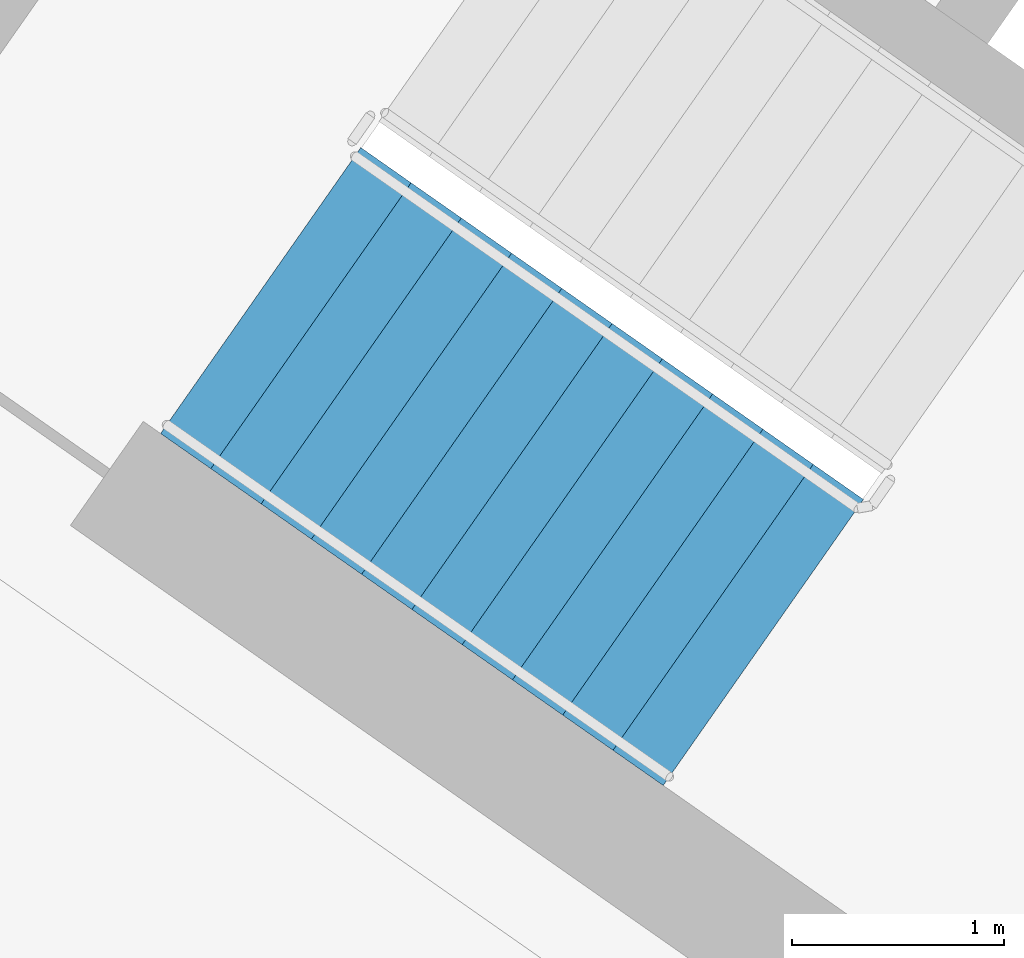
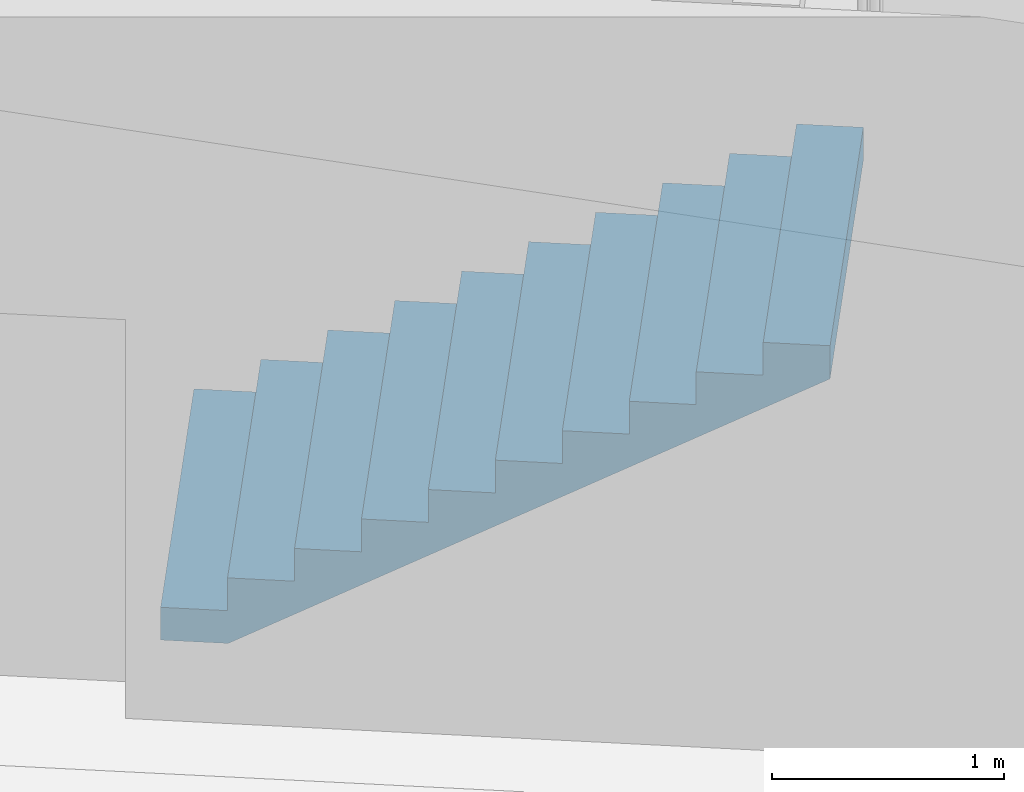
# One storey, part 10 of 28: 1 stair flight, 1 element without a shape of its own.
"""IFC4 building model written with IfcOpenShell, lengths in metres."""

from ifc_helpers import new_model, si_unit, direction, frame, origin, place, context, subcontext, project, spatial, faceted_brep, material, type_object, element, aggregate, save


model = new_model("IFC4")

# Units and contexts
model_context = context("Model", 3, precision=1e-05, world=origin(), true_north=direction((0.0, 1.0)))
body_context = subcontext(model_context, "Body", "Model", "MODEL_VIEW")
ifc_project = project(units=[si_unit("LENGTHUNIT", "METRE"), si_unit("AREAUNIT", "SQUARE_METRE"), si_unit("VOLUMEUNIT", "CUBIC_METRE"), si_unit("PLANEANGLEUNIT", "RADIAN"), si_unit("MASSUNIT", "GRAM", prefix="KILO")], contexts=[model_context])

# Site, building, storey
site_placement = place(None, origin())
site = spatial("IfcSite", under=ifc_project, at=site_placement, CompositionType="ELEMENT")
building_placement = place(site_placement, origin())
building = spatial("IfcBuilding", under=site, at=building_placement, Name="Qamariyya Broadcast Tower", CompositionType="ELEMENT")
storey_placement = place(building_placement, frame((0.0, 0.0, 273.300048828125)))
storey = spatial("IfcBuildingStorey", under=building, at=storey_placement, Name="L66", CompositionType="ELEMENT", Elevation=273.300048828125)

# Stair, stair flight
ifc_material = material(Name="Concrete C50/60", Category="concrete")
stair_type = type_object("IfcStairType", Name="Exit stair 22 risers of 173 mm", PredefinedType="HALF_TURN_STAIR", material=ifc_material)
stair_placement = place(storey_placement, origin())
stair = element("IfcStair", 1, at=stair_placement, inside=storey, type_object=stair_type, Name="L66 Stair W1", PredefinedType="HALF_TURN_STAIR")
stair_flight_type = type_object("IfcStairFlightType", Name="Exit stair flight 11 risers of 173 mm", PredefinedType="STRAIGHT", material=ifc_material)
stair_flight_placement = place(storey_placement, frame((-47.06884765625, -56.982666015625, 0.0), z_axis=(0.0, 0.0, 1.0), x_axis=(0.819152044289, -0.573576436351, 0.0)))
stair_flight = element("IfcStairFlight", 2, at=stair_flight_placement, type_object=stair_flight_type, Name="ST-W1 flight 1", NumberOfRisers=11, NumberOfTreads=10, PredefinedType="STRAIGHT", RiserHeight=0.172727273, TreadLength=0.29, context=body_context, shape_type="Brep", body=[
    faceted_brep([(0.0, 0.824951171875, 0.0), (0.0, 0.824951171875, 0.172607421875), (0.2900390625, 0.824951171875, 0.172607421875), (0.2900390625, 0.824951171875, 0.345458984375), (0.580078125, 0.824951171875, 0.345458984375), (0.580078125, 0.824951171875, 0.51806640625), (0.8701171875, 0.824951171875, 0.51806640625), (0.8701171875, 0.824951171875, 0.69091796875), (1.159912109375, 0.824951171875, 0.69091796875), (1.159912109375, 0.824951171875, 0.863525390625), (1.449951171875, 0.824951171875, 0.863525390625), (1.449951171875, 0.824951171875, 1.036376953125), (1.739990234375, 0.824951171875, 1.036376953125), (1.739990234375, 0.824951171875, 1.208984375), (2.030029296875, 0.824951171875, 1.208984375), (2.030029296875, 0.824951171875, 1.3818359375), (2.320068359375, 0.824951171875, 1.3818359375), (2.320068359375, 0.824951171875, 1.554443359375), (2.610107421875, 0.824951171875, 1.554443359375), (2.610107421875, 0.824951171875, 1.727294921875), (2.89990234375, 0.824951171875, 1.727294921875), (2.89990234375, 0.824951171875, 1.552734375), (0.29296875, 0.824951171875, 0.0), (0.29296875, -0.824951171875, 0.0), (2.89990234375, -0.824951171875, 1.552734375), (2.89990234375, -0.824951171875, 1.727294921875), (2.610107421875, -0.824951171875, 1.727294921875), (2.610107421875, -0.824951171875, 1.554443359375), (2.320068359375, -0.824951171875, 1.554443359375), (2.320068359375, -0.824951171875, 1.3818359375), (2.030029296875, -0.824951171875, 1.3818359375), (2.030029296875, -0.824951171875, 1.208984375), (1.739990234375, -0.824951171875, 1.208984375), (1.739990234375, -0.824951171875, 1.036376953125), (1.449951171875, -0.824951171875, 1.036376953125), (1.449951171875, -0.824951171875, 0.863525390625), (1.159912109375, -0.824951171875, 0.863525390625), (1.159912109375, -0.824951171875, 0.69091796875), (0.8701171875, -0.824951171875, 0.69091796875), (0.8701171875, -0.824951171875, 0.51806640625), (0.580078125, -0.824951171875, 0.51806640625), (0.580078125, -0.824951171875, 0.345458984375), (0.2900390625, -0.824951171875, 0.345458984375), (0.2900390625, -0.824951171875, 0.172607421875), (0.0, -0.824951171875, 0.172607421875), (0.0, -0.824951171875, 0.0), (0.0, 0.10009765625, 0.0), (0.0, 0.086669921875, 0.0), (0.0, 0.0732421875, 0.0), (0.0, 0.06005859375, 0.0), (0.0, 0.046630859375, 0.0), (0.0, 0.033447265625, 0.0), (0.0, 0.02001953125, 0.0), (0.0, 0.006591796875, 0.0), (0.0, -0.006591796875, 0.0), (0.0, -0.02001953125, 0.0), (0.0, -0.033447265625, 0.0), (0.0, -0.046630859375, 0.0), (0.0, -0.06005859375, 0.0), (0.0, -0.0732421875, 0.0), (0.0, -0.086669921875, 0.0), (0.0, -0.10009765625, 0.0), (0.0, -0.10009765625, 0.172607421875), (0.0, -0.086669921875, 0.172607421875), (0.0, -0.0732421875, 0.172607421875), (0.0, -0.06005859375, 0.172607421875), (0.0, -0.046630859375, 0.172607421875), (0.0, -0.033447265625, 0.172607421875), (0.0, -0.02001953125, 0.172607421875), (0.0, -0.006591796875, 0.172607421875), (0.0, 0.006591796875, 0.172607421875), (0.0, 0.02001953125, 0.172607421875), (0.0, 0.033447265625, 0.172607421875), (0.0, 0.046630859375, 0.172607421875), (0.0, 0.06005859375, 0.172607421875), (0.0, 0.0732421875, 0.172607421875), (0.0, 0.086669921875, 0.172607421875), (0.0, 0.10009765625, 0.172607421875), (0.2900390625, -0.10009765625, 0.172607421875), (0.2900390625, -0.086669921875, 0.172607421875), (0.2900390625, -0.0732421875, 0.172607421875), (0.2900390625, -0.06005859375, 0.172607421875), (0.2900390625, -0.046630859375, 0.172607421875), (0.2900390625, -0.033447265625, 0.172607421875), (0.2900390625, -0.02001953125, 0.172607421875), (0.2900390625, -0.006591796875, 0.172607421875), (0.2900390625, 0.006591796875, 0.172607421875), (0.2900390625, 0.02001953125, 0.172607421875), (0.2900390625, 0.033447265625, 0.172607421875), (0.2900390625, 0.046630859375, 0.172607421875), (0.2900390625, 0.06005859375, 0.172607421875), (0.2900390625, 0.0732421875, 0.172607421875), (0.2900390625, 0.086669921875, 0.172607421875), (0.2900390625, 0.10009765625, 0.172607421875), (0.2900390625, -0.10009765625, 0.345458984375), (0.2900390625, -0.086669921875, 0.345458984375), (0.2900390625, -0.0732421875, 0.345458984375), (0.2900390625, -0.06005859375, 0.345458984375), (0.2900390625, -0.046630859375, 0.345458984375), (0.2900390625, -0.033447265625, 0.345458984375), (0.2900390625, -0.02001953125, 0.345458984375), (0.2900390625, -0.006591796875, 0.345458984375), (0.2900390625, 0.006591796875, 0.345458984375), (0.2900390625, 0.02001953125, 0.345458984375), (0.2900390625, 0.033447265625, 0.345458984375), (0.2900390625, 0.046630859375, 0.345458984375), (0.2900390625, 0.06005859375, 0.345458984375), (0.2900390625, 0.0732421875, 0.345458984375), (0.2900390625, 0.086669921875, 0.345458984375), (0.2900390625, 0.10009765625, 0.345458984375), (0.580078125, -0.10009765625, 0.345458984375), (0.580078125, -0.086669921875, 0.345458984375), (0.580078125, -0.0732421875, 0.345458984375), (0.580078125, -0.06005859375, 0.345458984375), (0.580078125, -0.046630859375, 0.345458984375), (0.580078125, -0.033447265625, 0.345458984375), (0.580078125, -0.02001953125, 0.345458984375), (0.580078125, -0.006591796875, 0.345458984375), (0.580078125, 0.006591796875, 0.345458984375), (0.580078125, 0.02001953125, 0.345458984375), (0.580078125, 0.033447265625, 0.345458984375), (0.580078125, 0.046630859375, 0.345458984375), (0.580078125, 0.06005859375, 0.345458984375), (0.580078125, 0.0732421875, 0.345458984375), (0.580078125, 0.086669921875, 0.345458984375), (0.580078125, 0.10009765625, 0.345458984375), (0.580078125, -0.10009765625, 0.51806640625), (0.580078125, -0.086669921875, 0.51806640625), (0.580078125, -0.0732421875, 0.51806640625), (0.580078125, -0.06005859375, 0.51806640625), (0.580078125, -0.046630859375, 0.51806640625), (0.580078125, -0.033447265625, 0.51806640625), (0.580078125, -0.02001953125, 0.51806640625), (0.580078125, -0.006591796875, 0.51806640625), (0.580078125, 0.006591796875, 0.51806640625), (0.580078125, 0.02001953125, 0.51806640625), (0.580078125, 0.033447265625, 0.51806640625), (0.580078125, 0.046630859375, 0.51806640625), (0.580078125, 0.06005859375, 0.51806640625), (0.580078125, 0.0732421875, 0.51806640625), (0.580078125, 0.086669921875, 0.51806640625), (0.580078125, 0.10009765625, 0.51806640625), (0.8701171875, -0.10009765625, 0.51806640625), (0.8701171875, -0.086669921875, 0.51806640625), (0.8701171875, -0.0732421875, 0.51806640625), (0.8701171875, -0.06005859375, 0.51806640625), (0.8701171875, -0.046630859375, 0.51806640625), (0.8701171875, -0.033447265625, 0.51806640625), (0.8701171875, -0.02001953125, 0.51806640625), (0.8701171875, -0.006591796875, 0.51806640625), (0.8701171875, 0.006591796875, 0.51806640625), (0.8701171875, 0.02001953125, 0.51806640625), (0.8701171875, 0.033447265625, 0.51806640625), (0.8701171875, 0.046630859375, 0.51806640625), (0.8701171875, 0.06005859375, 0.51806640625), (0.8701171875, 0.0732421875, 0.51806640625), (0.8701171875, 0.086669921875, 0.51806640625), (0.8701171875, 0.10009765625, 0.51806640625), (0.8701171875, -0.10009765625, 0.69091796875), (0.8701171875, -0.086669921875, 0.69091796875), (0.8701171875, -0.0732421875, 0.69091796875), (0.8701171875, -0.06005859375, 0.69091796875), (0.8701171875, -0.046630859375, 0.69091796875), (0.8701171875, -0.033447265625, 0.69091796875), (0.8701171875, -0.02001953125, 0.69091796875), (0.8701171875, -0.006591796875, 0.69091796875), (0.8701171875, 0.006591796875, 0.69091796875), (0.8701171875, 0.02001953125, 0.69091796875), (0.8701171875, 0.033447265625, 0.69091796875), (0.8701171875, 0.046630859375, 0.69091796875), (0.8701171875, 0.06005859375, 0.69091796875), (0.8701171875, 0.0732421875, 0.69091796875), (0.8701171875, 0.086669921875, 0.69091796875), (0.8701171875, 0.10009765625, 0.69091796875), (1.159912109375, -0.10009765625, 0.69091796875), (1.159912109375, -0.086669921875, 0.69091796875), (1.159912109375, -0.0732421875, 0.69091796875), (1.159912109375, -0.06005859375, 0.69091796875), (1.159912109375, -0.046630859375, 0.69091796875), (1.159912109375, -0.033447265625, 0.69091796875), (1.159912109375, -0.02001953125, 0.69091796875), (1.159912109375, -0.006591796875, 0.69091796875), (1.159912109375, 0.006591796875, 0.69091796875), (1.159912109375, 0.02001953125, 0.69091796875), (1.159912109375, 0.033447265625, 0.69091796875), (1.159912109375, 0.046630859375, 0.69091796875), (1.159912109375, 0.06005859375, 0.69091796875), (1.159912109375, 0.0732421875, 0.69091796875), (1.159912109375, 0.086669921875, 0.69091796875), (1.159912109375, 0.10009765625, 0.69091796875), (1.159912109375, -0.10009765625, 0.863525390625), (1.159912109375, -0.086669921875, 0.863525390625), (1.159912109375, -0.0732421875, 0.863525390625), (1.159912109375, -0.06005859375, 0.863525390625), (1.159912109375, -0.046630859375, 0.863525390625), (1.159912109375, -0.033447265625, 0.863525390625), (1.159912109375, -0.02001953125, 0.863525390625), (1.159912109375, -0.006591796875, 0.863525390625), (1.159912109375, 0.006591796875, 0.863525390625), (1.159912109375, 0.02001953125, 0.863525390625), (1.159912109375, 0.033447265625, 0.863525390625), (1.159912109375, 0.046630859375, 0.863525390625), (1.159912109375, 0.06005859375, 0.863525390625), (1.159912109375, 0.0732421875, 0.863525390625), (1.159912109375, 0.086669921875, 0.863525390625), (1.159912109375, 0.10009765625, 0.863525390625), (1.449951171875, -0.10009765625, 0.863525390625), (1.449951171875, -0.086669921875, 0.863525390625), (1.449951171875, -0.0732421875, 0.863525390625), (1.449951171875, -0.06005859375, 0.863525390625), (1.449951171875, -0.046630859375, 0.863525390625), (1.449951171875, -0.033447265625, 0.863525390625), (1.449951171875, -0.02001953125, 0.863525390625), (1.449951171875, -0.006591796875, 0.863525390625), (1.449951171875, 0.006591796875, 0.863525390625), (1.449951171875, 0.02001953125, 0.863525390625), (1.449951171875, 0.033447265625, 0.863525390625), (1.449951171875, 0.046630859375, 0.863525390625), (1.449951171875, 0.06005859375, 0.863525390625), (1.449951171875, 0.0732421875, 0.863525390625), (1.449951171875, 0.086669921875, 0.863525390625), (1.449951171875, 0.10009765625, 0.863525390625), (1.449951171875, -0.10009765625, 1.036376953125), (1.449951171875, -0.086669921875, 1.036376953125), (1.449951171875, -0.0732421875, 1.036376953125), (1.449951171875, -0.06005859375, 1.036376953125), (1.449951171875, -0.046630859375, 1.036376953125), (1.449951171875, -0.033447265625, 1.036376953125), (1.449951171875, -0.02001953125, 1.036376953125), (1.449951171875, -0.006591796875, 1.036376953125), (1.449951171875, 0.006591796875, 1.036376953125), (1.449951171875, 0.02001953125, 1.036376953125), (1.449951171875, 0.033447265625, 1.036376953125), (1.449951171875, 0.046630859375, 1.036376953125), (1.449951171875, 0.06005859375, 1.036376953125), (1.449951171875, 0.0732421875, 1.036376953125), (1.449951171875, 0.086669921875, 1.036376953125), (1.449951171875, 0.10009765625, 1.036376953125), (1.739990234375, -0.10009765625, 1.036376953125), (1.739990234375, -0.086669921875, 1.036376953125), (1.739990234375, -0.0732421875, 1.036376953125), (1.739990234375, -0.06005859375, 1.036376953125), (1.739990234375, -0.046630859375, 1.036376953125), (1.739990234375, -0.033447265625, 1.036376953125), (1.739990234375, -0.02001953125, 1.036376953125), (1.739990234375, -0.006591796875, 1.036376953125), (1.739990234375, 0.006591796875, 1.036376953125), (1.739990234375, 0.02001953125, 1.036376953125), (1.739990234375, 0.033447265625, 1.036376953125), (1.739990234375, 0.046630859375, 1.036376953125), (1.739990234375, 0.06005859375, 1.036376953125), (1.739990234375, 0.0732421875, 1.036376953125), (1.739990234375, 0.086669921875, 1.036376953125), (1.739990234375, 0.10009765625, 1.036376953125), (1.739990234375, -0.10009765625, 1.208984375), (1.739990234375, -0.086669921875, 1.208984375), (1.739990234375, -0.0732421875, 1.208984375), (1.739990234375, -0.06005859375, 1.208984375), (1.739990234375, -0.046630859375, 1.208984375), (1.739990234375, -0.033447265625, 1.208984375), (1.739990234375, -0.02001953125, 1.208984375), (1.739990234375, -0.006591796875, 1.208984375), (1.739990234375, 0.006591796875, 1.208984375), (1.739990234375, 0.02001953125, 1.208984375), (1.739990234375, 0.033447265625, 1.208984375), (1.739990234375, 0.046630859375, 1.208984375), (1.739990234375, 0.06005859375, 1.208984375), (1.739990234375, 0.0732421875, 1.208984375), (1.739990234375, 0.086669921875, 1.208984375), (1.739990234375, 0.10009765625, 1.208984375), (2.030029296875, -0.10009765625, 1.208984375), (2.030029296875, -0.086669921875, 1.208984375), (2.030029296875, -0.0732421875, 1.208984375), (2.030029296875, -0.06005859375, 1.208984375), (2.030029296875, -0.046630859375, 1.208984375), (2.030029296875, -0.033447265625, 1.208984375), (2.030029296875, -0.02001953125, 1.208984375), (2.030029296875, -0.006591796875, 1.208984375), (2.030029296875, 0.006591796875, 1.208984375), (2.030029296875, 0.02001953125, 1.208984375), (2.030029296875, 0.033447265625, 1.208984375), (2.030029296875, 0.046630859375, 1.208984375), (2.030029296875, 0.06005859375, 1.208984375), (2.030029296875, 0.0732421875, 1.208984375), (2.030029296875, 0.086669921875, 1.208984375), (2.030029296875, 0.10009765625, 1.208984375), (2.030029296875, -0.10009765625, 1.3818359375), (2.030029296875, -0.086669921875, 1.3818359375), (2.030029296875, -0.0732421875, 1.3818359375), (2.030029296875, -0.06005859375, 1.3818359375), (2.030029296875, -0.046630859375, 1.3818359375), (2.030029296875, -0.033447265625, 1.3818359375), (2.030029296875, -0.02001953125, 1.3818359375), (2.030029296875, -0.006591796875, 1.3818359375), (2.030029296875, 0.006591796875, 1.3818359375), (2.030029296875, 0.02001953125, 1.3818359375), (2.030029296875, 0.033447265625, 1.3818359375), (2.030029296875, 0.046630859375, 1.3818359375), (2.030029296875, 0.06005859375, 1.3818359375), (2.030029296875, 0.0732421875, 1.3818359375), (2.030029296875, 0.086669921875, 1.3818359375), (2.030029296875, 0.10009765625, 1.3818359375), (2.320068359375, -0.10009765625, 1.3818359375), (2.320068359375, -0.086669921875, 1.3818359375), (2.320068359375, -0.0732421875, 1.3818359375), (2.320068359375, -0.06005859375, 1.3818359375), (2.320068359375, -0.046630859375, 1.3818359375), (2.320068359375, -0.033447265625, 1.3818359375), (2.320068359375, -0.02001953125, 1.3818359375), (2.320068359375, -0.006591796875, 1.3818359375), (2.320068359375, 0.006591796875, 1.3818359375), (2.320068359375, 0.02001953125, 1.3818359375), (2.320068359375, 0.033447265625, 1.3818359375), (2.320068359375, 0.046630859375, 1.3818359375), (2.320068359375, 0.06005859375, 1.3818359375), (2.320068359375, 0.0732421875, 1.3818359375), (2.320068359375, 0.086669921875, 1.3818359375), (2.320068359375, 0.10009765625, 1.3818359375), (2.320068359375, -0.10009765625, 1.554443359375), (2.320068359375, -0.086669921875, 1.554443359375), (2.320068359375, -0.0732421875, 1.554443359375), (2.320068359375, -0.06005859375, 1.554443359375), (2.320068359375, -0.046630859375, 1.554443359375), (2.320068359375, -0.033447265625, 1.554443359375), (2.320068359375, -0.02001953125, 1.554443359375), (2.320068359375, -0.006591796875, 1.554443359375), (2.320068359375, 0.006591796875, 1.554443359375), (2.320068359375, 0.02001953125, 1.554443359375), (2.320068359375, 0.033447265625, 1.554443359375), (2.320068359375, 0.046630859375, 1.554443359375), (2.320068359375, 0.06005859375, 1.554443359375), (2.320068359375, 0.0732421875, 1.554443359375), (2.320068359375, 0.086669921875, 1.554443359375), (2.320068359375, 0.10009765625, 1.554443359375), (2.610107421875, -0.10009765625, 1.554443359375), (2.610107421875, -0.086669921875, 1.554443359375), (2.610107421875, -0.0732421875, 1.554443359375), (2.610107421875, -0.06005859375, 1.554443359375), (2.610107421875, -0.046630859375, 1.554443359375), (2.610107421875, -0.033447265625, 1.554443359375), (2.610107421875, -0.02001953125, 1.554443359375), (2.610107421875, -0.006591796875, 1.554443359375), (2.610107421875, 0.006591796875, 1.554443359375), (2.610107421875, 0.02001953125, 1.554443359375), (2.610107421875, 0.033447265625, 1.554443359375), (2.610107421875, 0.046630859375, 1.554443359375), (2.610107421875, 0.06005859375, 1.554443359375), (2.610107421875, 0.0732421875, 1.554443359375), (2.610107421875, 0.086669921875, 1.554443359375), (2.610107421875, 0.10009765625, 1.554443359375), (2.610107421875, -0.10009765625, 1.727294921875), (2.610107421875, -0.086669921875, 1.727294921875), (2.610107421875, -0.0732421875, 1.727294921875), (2.610107421875, -0.06005859375, 1.727294921875), (2.610107421875, -0.046630859375, 1.727294921875), (2.610107421875, -0.033447265625, 1.727294921875), (2.610107421875, -0.02001953125, 1.727294921875), (2.610107421875, -0.006591796875, 1.727294921875), (2.610107421875, 0.006591796875, 1.727294921875), (2.610107421875, 0.02001953125, 1.727294921875), (2.610107421875, 0.033447265625, 1.727294921875), (2.610107421875, 0.046630859375, 1.727294921875), (2.610107421875, 0.06005859375, 1.727294921875), (2.610107421875, 0.0732421875, 1.727294921875), (2.610107421875, 0.086669921875, 1.727294921875), (2.610107421875, 0.10009765625, 1.727294921875), (2.89990234375, -0.10009765625, 1.727294921875), (2.89990234375, -0.086669921875, 1.727294921875), (2.89990234375, -0.0732421875, 1.727294921875), (2.89990234375, -0.06005859375, 1.727294921875), (2.89990234375, -0.046630859375, 1.727294921875), (2.89990234375, -0.033447265625, 1.727294921875), (2.89990234375, -0.02001953125, 1.727294921875), (2.89990234375, -0.006591796875, 1.727294921875), (2.89990234375, 0.006591796875, 1.727294921875), (2.89990234375, 0.02001953125, 1.727294921875), (2.89990234375, 0.033447265625, 1.727294921875), (2.89990234375, 0.046630859375, 1.727294921875), (2.89990234375, 0.06005859375, 1.727294921875), (2.89990234375, 0.0732421875, 1.727294921875), (2.89990234375, 0.086669921875, 1.727294921875), (2.89990234375, 0.10009765625, 1.727294921875), (2.89990234375, -0.10009765625, 1.552734375), (2.89990234375, -0.086669921875, 1.552734375), (2.89990234375, -0.0732421875, 1.552734375), (2.89990234375, -0.06005859375, 1.552734375), (2.89990234375, -0.046630859375, 1.552734375), (2.89990234375, -0.033447265625, 1.552734375), (2.89990234375, -0.02001953125, 1.552734375), (2.89990234375, -0.006591796875, 1.552734375), (2.89990234375, 0.006591796875, 1.552734375), (2.89990234375, 0.02001953125, 1.552734375), (2.89990234375, 0.033447265625, 1.552734375), (2.89990234375, 0.046630859375, 1.552734375), (2.89990234375, 0.06005859375, 1.552734375), (2.89990234375, 0.0732421875, 1.552734375), (2.89990234375, 0.086669921875, 1.552734375), (2.89990234375, 0.10009765625, 1.552734375), (0.29296875, -0.10009765625, 0.0), (0.29296875, -0.086669921875, 0.0), (0.29296875, -0.0732421875, 0.0), (0.29296875, -0.06005859375, 0.0), (0.29296875, -0.046630859375, 0.0), (0.29296875, -0.033447265625, 0.0), (0.29296875, -0.02001953125, 0.0), (0.29296875, -0.006591796875, 0.0), (0.29296875, 0.006591796875, 0.0), (0.29296875, 0.02001953125, 0.0), (0.29296875, 0.033447265625, 0.0), (0.29296875, 0.046630859375, 0.0), (0.29296875, 0.06005859375, 0.0), (0.29296875, 0.0732421875, 0.0), (0.29296875, 0.086669921875, 0.0), (0.29296875, 0.10009765625, 0.0)], [[[0, 1, 2, 3, 4, 5, 6, 7, 8, 9, 10, 11, 12, 13, 14, 15, 16, 17, 18, 19, 20, 21, 22]], [[23, 24, 25, 26, 27, 28, 29, 30, 31, 32, 33, 34, 35, 36, 37, 38, 39, 40, 41, 42, 43, 44, 45]], [[0, 46, 47, 48, 49, 50, 51, 52, 53, 54, 55, 56, 57, 58, 59, 60, 61, 45, 44, 62, 63, 64, 65, 66, 67, 68, 69, 70, 71, 72, 73, 74, 75, 76, 77, 1]], [[1, 77, 76, 75, 74, 73, 72, 71, 70, 69, 68, 67, 66, 65, 64, 63, 62, 44, 43, 78, 79, 80, 81, 82, 83, 84, 85, 86, 87, 88, 89, 90, 91, 92, 93, 2]], [[2, 93, 92, 91, 90, 89, 88, 87, 86, 85, 84, 83, 82, 81, 80, 79, 78, 43, 42, 94, 95, 96, 97, 98, 99, 100, 101, 102, 103, 104, 105, 106, 107, 108, 109, 3]], [[3, 109, 108, 107, 106, 105, 104, 103, 102, 101, 100, 99, 98, 97, 96, 95, 94, 42, 41, 110, 111, 112, 113, 114, 115, 116, 117, 118, 119, 120, 121, 122, 123, 124, 125, 4]], [[4, 125, 124, 123, 122, 121, 120, 119, 118, 117, 116, 115, 114, 113, 112, 111, 110, 41, 40, 126, 127, 128, 129, 130, 131, 132, 133, 134, 135, 136, 137, 138, 139, 140, 141, 5]], [[5, 141, 140, 139, 138, 137, 136, 135, 134, 133, 132, 131, 130, 129, 128, 127, 126, 40, 39, 142, 143, 144, 145, 146, 147, 148, 149, 150, 151, 152, 153, 154, 155, 156, 157, 6]], [[6, 157, 156, 155, 154, 153, 152, 151, 150, 149, 148, 147, 146, 145, 144, 143, 142, 39, 38, 158, 159, 160, 161, 162, 163, 164, 165, 166, 167, 168, 169, 170, 171, 172, 173, 7]], [[7, 173, 172, 171, 170, 169, 168, 167, 166, 165, 164, 163, 162, 161, 160, 159, 158, 38, 37, 174, 175, 176, 177, 178, 179, 180, 181, 182, 183, 184, 185, 186, 187, 188, 189, 8]], [[8, 189, 188, 187, 186, 185, 184, 183, 182, 181, 180, 179, 178, 177, 176, 175, 174, 37, 36, 190, 191, 192, 193, 194, 195, 196, 197, 198, 199, 200, 201, 202, 203, 204, 205, 9]], [[9, 205, 204, 203, 202, 201, 200, 199, 198, 197, 196, 195, 194, 193, 192, 191, 190, 36, 35, 206, 207, 208, 209, 210, 211, 212, 213, 214, 215, 216, 217, 218, 219, 220, 221, 10]], [[10, 221, 220, 219, 218, 217, 216, 215, 214, 213, 212, 211, 210, 209, 208, 207, 206, 35, 34, 222, 223, 224, 225, 226, 227, 228, 229, 230, 231, 232, 233, 234, 235, 236, 237, 11]], [[11, 237, 236, 235, 234, 233, 232, 231, 230, 229, 228, 227, 226, 225, 224, 223, 222, 34, 33, 238, 239, 240, 241, 242, 243, 244, 245, 246, 247, 248, 249, 250, 251, 252, 253, 12]], [[12, 253, 252, 251, 250, 249, 248, 247, 246, 245, 244, 243, 242, 241, 240, 239, 238, 33, 32, 254, 255, 256, 257, 258, 259, 260, 261, 262, 263, 264, 265, 266, 267, 268, 269, 13]], [[13, 269, 268, 267, 266, 265, 264, 263, 262, 261, 260, 259, 258, 257, 256, 255, 254, 32, 31, 270, 271, 272, 273, 274, 275, 276, 277, 278, 279, 280, 281, 282, 283, 284, 285, 14]], [[14, 285, 284, 283, 282, 281, 280, 279, 278, 277, 276, 275, 274, 273, 272, 271, 270, 31, 30, 286, 287, 288, 289, 290, 291, 292, 293, 294, 295, 296, 297, 298, 299, 300, 301, 15]], [[15, 301, 300, 299, 298, 297, 296, 295, 294, 293, 292, 291, 290, 289, 288, 287, 286, 30, 29, 302, 303, 304, 305, 306, 307, 308, 309, 310, 311, 312, 313, 314, 315, 316, 317, 16]], [[16, 317, 316, 315, 314, 313, 312, 311, 310, 309, 308, 307, 306, 305, 304, 303, 302, 29, 28, 318, 319, 320, 321, 322, 323, 324, 325, 326, 327, 328, 329, 330, 331, 332, 333, 17]], [[17, 333, 332, 331, 330, 329, 328, 327, 326, 325, 324, 323, 322, 321, 320, 319, 318, 28, 27, 334, 335, 336, 337, 338, 339, 340, 341, 342, 343, 344, 345, 346, 347, 348, 349, 18]], [[18, 349, 348, 347, 346, 345, 344, 343, 342, 341, 340, 339, 338, 337, 336, 335, 334, 27, 26, 350, 351, 352, 353, 354, 355, 356, 357, 358, 359, 360, 361, 362, 363, 364, 365, 19]], [[19, 365, 364, 363, 362, 361, 360, 359, 358, 357, 356, 355, 354, 353, 352, 351, 350, 26, 25, 366, 367, 368, 369, 370, 371, 372, 373, 374, 375, 376, 377, 378, 379, 380, 381, 20]], [[20, 381, 380, 379, 378, 377, 376, 375, 374, 373, 372, 371, 370, 369, 368, 367, 366, 25, 24, 382, 383, 384, 385, 386, 387, 388, 389, 390, 391, 392, 393, 394, 395, 396, 397, 21]], [[21, 397, 396, 395, 394, 393, 392, 391, 390, 389, 388, 387, 386, 385, 384, 383, 382, 24, 23, 398, 399, 400, 401, 402, 403, 404, 405, 406, 407, 408, 409, 410, 411, 412, 413, 22]], [[22, 413, 412, 411, 410, 409, 408, 407, 406, 405, 404, 403, 402, 401, 400, 399, 398, 23, 45, 61, 60, 59, 58, 57, 56, 55, 54, 53, 52, 51, 50, 49, 48, 47, 46, 0]]]),
])
aggregate(stair, [stair_flight])

save(model, "model.ifc")
